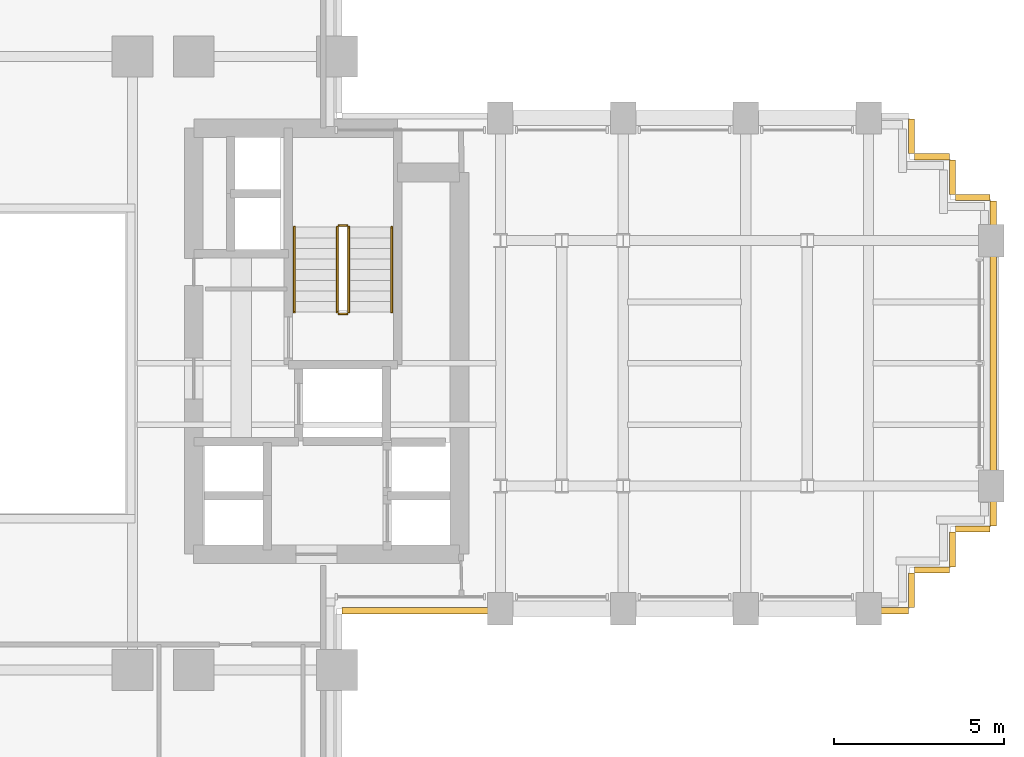
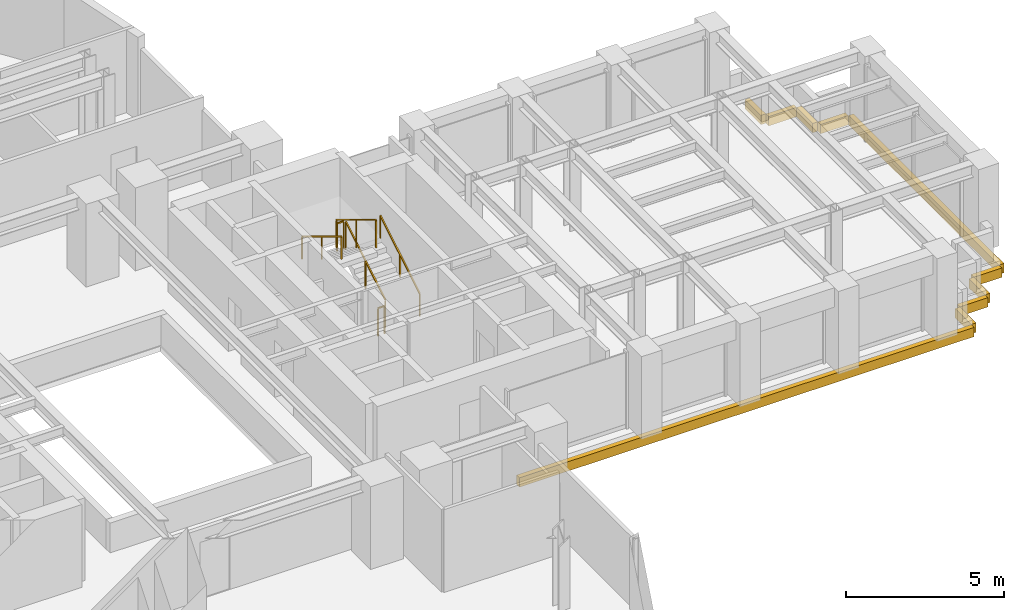
# One storey, part 15 of 16: 10 coverings, 6 railings.
"""IFC4 building model written with IfcOpenShell, lengths in metres."""

from ifc_helpers import new_model, si_unit, direction, frame, origin, origin_2d, place, context, subcontext, project, spatial, rectangle, extrude, source, transform, mapped, material, layer, layer_set, type_object, element, save


model = new_model("IFC4")

# Units and contexts
model_context = context("Model", 3, precision=1e-05, world=origin(), true_north=direction((0.0, 1.0)))
body_context = subcontext(model_context, "Body", "Model", "MODEL_VIEW")
ifc_project = project(units=[si_unit("LENGTHUNIT", "METRE"), si_unit("AREAUNIT", "SQUARE_METRE"), si_unit("VOLUMEUNIT", "CUBIC_METRE"), si_unit("PLANEANGLEUNIT", "RADIAN"), si_unit("MASSUNIT", "GRAM", prefix="KILO")], contexts=[model_context])

# Site, building, storey
site_placement = place(None, origin())
site = spatial("IfcSite", under=ifc_project, at=site_placement, CompositionType="ELEMENT")
building_placement = place(site_placement, origin())
building = spatial("IfcBuilding", under=site, at=building_placement, Name="Keilestroom Media Tower", CompositionType="ELEMENT")
storey_placement = place(building_placement, frame((0.0, 0.0, 61.199951171875)))
storey = spatial("IfcBuildingStorey", under=building, at=storey_placement, Name="L15", CompositionType="ELEMENT", Elevation=61.199951171875)

# Railings
ifc_material_1 = material(Name="Brushed Stainless Steel 1.4301", Category="steel")
railing_type_1 = type_object("IfcRailingType", Name="Stair-Pitch-Handrail-920", PredefinedType="HANDRAIL", material=ifc_material_1)
railing_1_placement = place(storey_placement, frame((11.2099609375, 1.5, 0.18896484375)))
element("IfcRailing", 1, at=railing_1_placement, inside=storey, type_object=railing_type_1, Name="L15 ST-2 stair handrail 1", PredefinedType="HANDRAIL", context=body_context, shape_type="SweptSolid", body=[
    extrude(rectangle(XDim=0.048095703125, YDim=0.048095703125, at=origin_2d()), frame((0.0, 0.0, 0.8759765625), z_axis=(0.0, 0.855470815493, 0.517851024754), x_axis=(-1.0, 0.0, 0.0)), (0.0, 0.0, 1.0), 2.917724609375),
    extrude(rectangle(XDim=0.0419921875, YDim=0.0419921875, at=origin_2d()), origin(), (0.0, 0.0, 1.0), 0.84375),
    extrude(rectangle(XDim=0.0419921875, YDim=0.0419921875, at=origin_2d()), frame((0.0, 1.248046875, 0.75537109375)), (0.0, 0.0, 1.0), 0.84375),
    extrude(rectangle(XDim=0.0419921875, YDim=0.0419921875, at=origin_2d()), frame((0.0, 2.49609375, 1.510986328125)), (0.0, 0.0, 1.0), 0.84375),
])
railing_2_placement = place(storey_placement, frame((8.35009765625, 3.99609375, 1.888916015625)))
element("IfcRailing", 2, at=railing_2_placement, inside=storey, type_object=railing_type_1, Name="L15 ST-2 stair handrail 2", PredefinedType="HANDRAIL", context=body_context, shape_type="SweptSolid", body=[
    extrude(rectangle(XDim=0.048095703125, YDim=0.048095703125, at=origin_2d()), frame((0.0, 0.0, 0.8759765625), z_axis=(0.0, -0.855433747314, 0.517912255074), x_axis=(1.0, 0.0, 0.0)), (0.0, 0.0, 1.0), 2.91796875),
    extrude(rectangle(XDim=0.0419921875, YDim=0.0419921875, at=origin_2d()), origin(), (0.0, 0.0, 1.0), 0.84375),
    extrude(rectangle(XDim=0.0419921875, YDim=0.0419921875, at=origin_2d()), frame((0.0, -1.248046875, 0.755615234375)), (0.0, 0.0, 1.0), 0.84375),
    extrude(rectangle(XDim=0.0419921875, YDim=0.0419921875, at=origin_2d()), frame((0.0, -2.49609375, 1.51123046875)), (0.0, 0.0, 1.0), 0.84375),
])
ifc_material_2 = material(Name="Painted Steel Balustrade", Category="steel")
railing_type_2 = type_object("IfcRailingType", Name="Stair-Well-And-Landing-Guard-1100", PredefinedType="GUARDRAIL", material=ifc_material_2)
railing_3_placement = place(storey_placement, frame((9.949951171875, 1.5, 0.18896484375)))
element("IfcRailing", 3, at=railing_3_placement, inside=storey, type_object=railing_type_2, Name="L15 ST-2 stair guard 1", PredefinedType="GUARDRAIL", context=body_context, shape_type="SweptSolid", body=[
    extrude(rectangle(XDim=0.048095703125, YDim=0.048095703125, at=origin_2d()), frame((0.0, 0.0, 1.076171875), z_axis=(0.0, 0.855470815493, 0.517851024754), x_axis=(-1.0, 0.0, 0.0)), (0.0, 0.0, 1.0), 2.917724609375),
    extrude(rectangle(XDim=0.0419921875, YDim=0.0419921875, at=origin_2d()), origin(), (0.0, 0.0, 1.0), 1.0439453125),
    extrude(rectangle(XDim=0.0419921875, YDim=0.0419921875, at=origin_2d()), frame((0.0, 1.248046875, 0.75537109375)), (0.0, 0.0, 1.0), 1.0439453125),
    extrude(rectangle(XDim=0.0419921875, YDim=0.0419921875, at=origin_2d()), frame((0.0, 2.49609375, 1.510986328125)), (0.0, 0.0, 1.0), 1.0439453125),
])
railing_4_placement = place(storey_placement, frame((9.89990234375, 4.0458984375, 1.699951171875)))
element("IfcRailing", 4, at=railing_4_placement, inside=storey, type_object=railing_type_2, Name="L15 ST-2 stair guard 2", PredefinedType="GUARDRAIL", context=body_context, shape_type="SweptSolid", body=[
    extrude(rectangle(XDim=0.048095703125, YDim=0.048095703125, at=origin_2d()), frame((0.0, 0.0, 1.076171875), z_axis=(-1.0, 0.0, 0.0), x_axis=(0.0, -1.0, 0.0)), (0.0, 0.0, 1.0), 0.239990234375),
    extrude(rectangle(XDim=0.0419921875, YDim=0.0419921875, at=origin_2d()), origin(), (0.0, 0.0, 1.0), 1.0439453125),
    extrude(rectangle(XDim=0.0419921875, YDim=0.0419921875, at=origin_2d()), frame((-0.239990234375, 0.0, 0.0)), (0.0, 0.0, 1.0), 1.0439453125),
])
railing_5_placement = place(storey_placement, frame((9.610107421875, 3.99609375, 1.888916015625)))
element("IfcRailing", 5, at=railing_5_placement, inside=storey, type_object=railing_type_2, Name="L15 ST-2 stair guard 3", PredefinedType="GUARDRAIL", context=body_context, shape_type="SweptSolid", body=[
    extrude(rectangle(XDim=0.048095703125, YDim=0.048095703125, at=origin_2d()), frame((0.0, 0.0, 1.076171875), z_axis=(0.0, -0.855433747314, 0.517912255074), x_axis=(1.0, 0.0, 0.0)), (0.0, 0.0, 1.0), 2.91796875),
    extrude(rectangle(XDim=0.0419921875, YDim=0.0419921875, at=origin_2d()), origin(), (0.0, 0.0, 1.0), 1.0439453125),
    extrude(rectangle(XDim=0.0419921875, YDim=0.0419921875, at=origin_2d()), frame((0.0, -1.248046875, 0.755615234375)), (0.0, 0.0, 1.0), 1.0439453125),
    extrude(rectangle(XDim=0.0419921875, YDim=0.0419921875, at=origin_2d()), frame((0.0, -2.49609375, 1.51123046875)), (0.0, 0.0, 1.0), 1.0439453125),
])
railing_6_placement = place(storey_placement, frame((9.89990234375, 1.449951171875, 0.0)))
element("IfcRailing", 6, at=railing_6_placement, inside=storey, type_object=railing_type_2, Name="L15 ST-2 stair guard 4", PredefinedType="GUARDRAIL", context=body_context, shape_type="SweptSolid", body=[
    extrude(rectangle(XDim=0.048095703125, YDim=0.048095703125, at=origin_2d()), frame((0.0, 0.0, 1.076171875), z_axis=(-1.0, 0.0, 0.0), x_axis=(0.0, -1.0, 0.0)), (0.0, 0.0, 1.0), 0.239990234375),
    extrude(rectangle(XDim=0.0419921875, YDim=0.0419921875, at=origin_2d()), origin(), (0.0, 0.0, 1.0), 1.0439453125),
    extrude(rectangle(XDim=0.0419921875, YDim=0.0419921875, at=origin_2d()), frame((-0.239990234375, 0.0, 0.0)), (0.0, 0.0, 1.0), 1.0439453125),
])

# Coverings
ifc_material_3 = material(Name="Precast concrete C40/50", Category="concrete")
ifc_layer = layer(ifc_material_3, 0.1201171875)
ifc_layer_set = layer_set([ifc_layer], Name="Precast concrete C40/50")
covering_type = type_object("IfcCoveringType", Name="Exterior-Precast-Spandrel-Cladding-Panel-120", PredefinedType="CLADDING", material=ifc_layer_set)
shared_shape_1 = source(origin(), body_context, "Body", "SweptSolid", [
    extrude(rectangle(XDim=1.02001953125, YDim=0.179931640625, at=origin_2d()), origin(), (0.0, 0.0, 1.0), 0.360107421875),
])
for number, where, z_axis, x_axis, name in (
    (7, (28.260009765625, -4.860107421875, -0.5400390625), (0.0, 0.0, 1.0), (-1.0, 0.0, 0.0), "L15 Precast Slab-Edge Fascia Cornice 01"),
    (8, (27.659912109375, -5.4599609375, -0.5400390625), (0.0, 0.0, 1.0), (0.0, -1.0, 0.0), "L15 Precast Slab-Edge Fascia Cornice 02"),
    (9, (27.06005859375, -6.06005859375, -0.5400390625), (0.0, 0.0, 1.0), (-1.0, 0.0, 0.0), "L15 Precast Slab-Edge Fascia Cornice 03"),
    (10, (26.4599609375, -6.659912109375, -0.5400390625), (0.0, 0.0, 1.0), (0.0, -1.0, 0.0), "L15 Precast Slab-Edge Fascia Cornice 04"),
    (11, (26.4599609375, 6.659912109375, -0.5400390625), (0.0, 0.0, 1.0), (0.0, -1.0, 0.0), "L15 Precast Slab-Edge Fascia Cornice 38"),
    (12, (27.06005859375, 6.06005859375, -0.5400390625), (0.0, 0.0, 1.0), (1.0, 0.0, 0.0), "L15 Precast Slab-Edge Fascia Cornice 39"),
    (13, (27.659912109375, 5.4599609375, -0.5400390625), (0.0, 0.0, 1.0), (0.0, -1.0, 0.0), "L15 Precast Slab-Edge Fascia Cornice 40"),
    (14, (28.260009765625, 4.860107421875, -0.5400390625), (0.0, 0.0, 1.0), (1.0, 0.0, 0.0), "L15 Precast Slab-Edge Fascia Cornice 41"),
):
    element("IfcCovering", number, at=place(storey_placement, frame(where, z_axis=z_axis, x_axis=x_axis)), inside=storey, type_object=covering_type, Name=name, PredefinedType="CLADDING", context=body_context, shape_type="MappedRepresentation", body=[
        mapped(shared_shape_1, transform((0.0, 0.0, 0.0), x_axis=(1.0, 0.0, 0.0), y_axis=(0.0, 1.0, 0.0), z_axis=(0.0, 0.0, 1.0), scale=1.0)),
    ])
shared_shape_2 = source(origin(), body_context, "Body", "SweptSolid", [
    extrude(rectangle(XDim=16.6201171875, YDim=0.179931640625, at=origin_2d()), origin(), (0.0, 0.0, 1.0), 0.360107421875),
])
covering_1_placement = place(storey_placement, frame((18.06005859375, -7.260009765625, -0.5400390625), z_axis=(0.0, 0.0, 1.0), x_axis=(-1.0, 0.0, 0.0)))
element("IfcCovering", 15, at=covering_1_placement, inside=storey, type_object=covering_type, Name="L15 Precast Slab-Edge Fascia Cornice 05", PredefinedType="CLADDING", context=body_context, shape_type="MappedRepresentation", body=[
    mapped(shared_shape_2, transform((0.0, 0.0, 0.0), x_axis=(1.0, 0.0, 0.0), y_axis=(0.0, 1.0, 0.0), z_axis=(0.0, 0.0, 1.0), scale=1.0)),
])
shared_shape_3 = source(origin(), body_context, "Body", "SweptSolid", [
    extrude(rectangle(XDim=9.5400390625, YDim=0.179931640625, at=origin_2d()), origin(), (0.0, 0.0, 1.0), 0.360107421875),
])
covering_2_placement = place(storey_placement, frame((28.860107421875, 0.0, -0.5400390625), z_axis=(0.0, 0.0, 1.0), x_axis=(0.0, -1.0, 0.0)))
element("IfcCovering", 16, at=covering_2_placement, inside=storey, type_object=covering_type, Name="L15 Precast Slab-Edge Fascia Cornice 42", PredefinedType="CLADDING", context=body_context, shape_type="MappedRepresentation", body=[
    mapped(shared_shape_3, transform((0.0, 0.0, 0.0), x_axis=(1.0, 0.0, 0.0), y_axis=(0.0, 1.0, 0.0), z_axis=(0.0, 0.0, 1.0), scale=1.0)),
])

save(model, "model.ifc")
